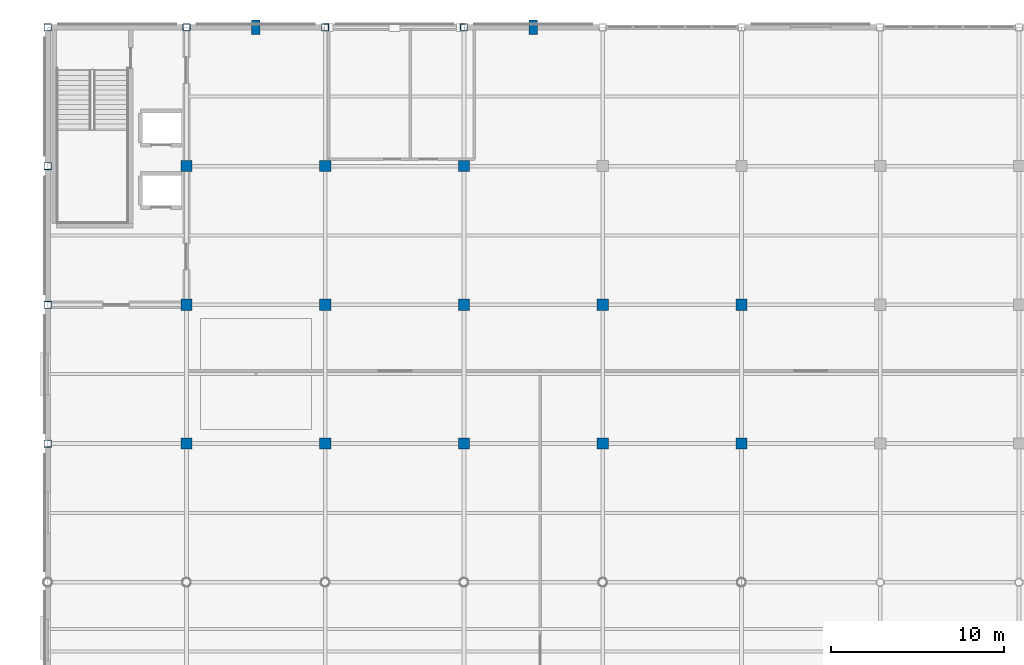
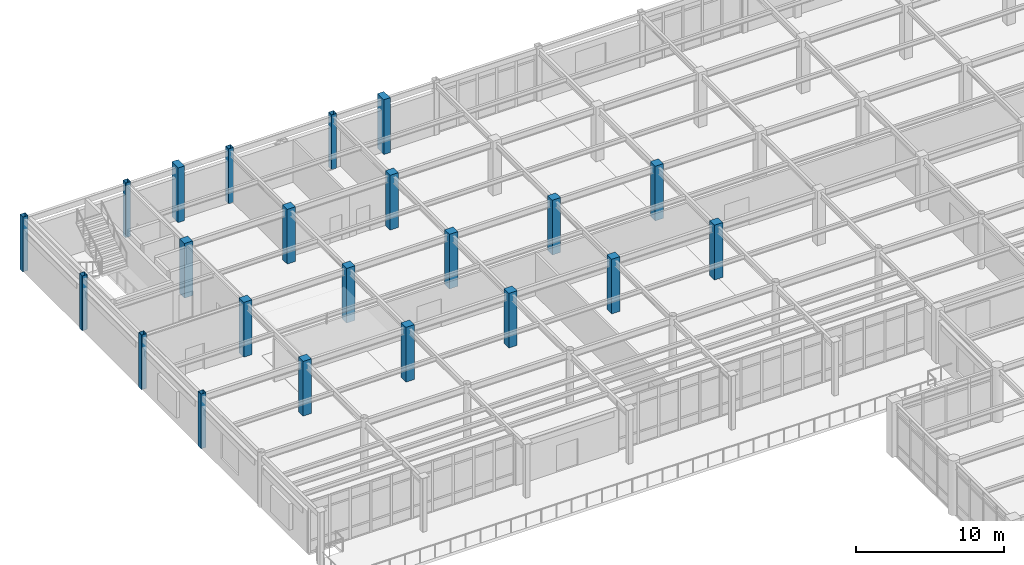
# One storey, part 10 of 111: 22 columns.
"""IFC4 building model written with IfcOpenShell, lengths in metres."""

from ifc_helpers import new_model, si_unit, direction, frame, origin, origin_2d, place, context, subcontext, project, spatial, rectangle, hollow_rectangle, extrude, material, material_profile, profile_set, type_object, element, save


model = new_model("IFC4")

# Units and contexts
model_context = context("Model", 3, precision=1e-05, world=origin(), true_north=direction((0.0, 1.0)))
body_context = subcontext(model_context, "Body", "Model", "MODEL_VIEW")
ifc_project = project(units=[si_unit("LENGTHUNIT", "METRE"), si_unit("AREAUNIT", "SQUARE_METRE"), si_unit("VOLUMEUNIT", "CUBIC_METRE"), si_unit("PLANEANGLEUNIT", "RADIAN"), si_unit("MASSUNIT", "GRAM", prefix="KILO")], contexts=[model_context])

# Site, building, storey
site_placement = place(None, origin())
site = spatial("IfcSite", under=ifc_project, at=site_placement, CompositionType="ELEMENT")
building_placement = place(site_placement, origin())
building = spatial("IfcBuilding", under=site, at=building_placement, Name="Solmirada Galleria", CompositionType="ELEMENT")
storey_placement = place(building_placement, frame((0.0, 0.0, 10.39990234375)))
storey = spatial("IfcBuildingStorey", under=building, at=storey_placement, Name="L02", CompositionType="ELEMENT", Elevation=10.39990234375)

# Columns
ifc_material_1 = material(Name="Steel S355 / ASTM A500 Grade C", Category="steel")
ifc_material_profile_1 = material_profile(ifc_material_1, hollow_rectangle(XDim=0.406005859375, YDim=0.406005859375, WallThickness=0.0146484375, InnerFilletRadius=0.0146484375, OuterFilletRadius=0.029296875, at=origin_2d()), Name="HSS16X16X5/8")
ifc_profile_set_1 = profile_set([ifc_material_profile_1], Name="Steel S355 / ASTM A500 Grade C")
column_type_1 = type_object("IfcColumnType", Name="COL-HSS16", PredefinedType="COLUMN", material=ifc_profile_set_1)
for number, where, z_axis, x_axis, name in (
    (1, (40.0, 96.0, 0.0), (0.0, 0.0, 1.0), (1.0, 0.0, 0.0), "Structural column L02-0055"),
    (2, (40.0, 104.0, 0.0), (0.0, 0.0, 1.0), (1.0, 0.0, 0.0), "Structural column L02-0062"),
    (3, (40.0, 112.0, 0.0), (0.0, 0.0, 1.0), (1.0, 0.0, 0.0), "Structural column L02-0069"),
    (4, (40.0, 120.0, 0.0), (0.0, 0.0, 1.0), (1.0, 0.0, 0.0), "Structural column L02-0076"),
    (5, (48.0, 120.0, 0.0), (0.0, 0.0, 1.0), (1.0, 0.0, 0.0), "Structural column L02-0143"),
    (6, (56.0, 120.0, 0.0), (0.0, 0.0, 1.0), (1.0, 0.0, 0.0), "Structural column L02-0210"),
    (7, (64.0, 120.0, 0.0), (0.0, 0.0, 1.0), (1.0, 0.0, 0.0), "Structural column L02-0274"),
):
    element("IfcColumn", number, at=place(storey_placement, frame(where, z_axis=z_axis, x_axis=x_axis)), inside=storey, type_object=column_type_1, Name=name, PredefinedType="COLUMN", context=body_context, shape_type="SweptSolid", body=[
        extrude(hollow_rectangle(XDim=0.406005859375, YDim=0.406005859375, WallThickness=0.0146484375, InnerFilletRadius=0.0146484375, OuterFilletRadius=0.029296875, at=origin_2d()), origin(), (0.0, 0.0, 1.0), 4.5),
    ])
ifc_material_2 = material(Name="Concrete C40/50", Category="concrete")
ifc_material_profile_2 = material_profile(ifc_material_2, rectangle(XDim=0.64990234375, YDim=0.64990234375, at=origin_2d()), Name="RC650X650")
ifc_profile_set_2 = profile_set([ifc_material_profile_2], Name="Concrete C40/50")
column_type_2 = type_object("IfcColumnType", Name="COL-RC650", PredefinedType="COLUMN", material=ifc_profile_set_2)
for number, where, z_axis, x_axis, name in (
    (8, (48.0, 96.0, 0.0), (0.0, 0.0, 1.0), (1.0, 0.0, 0.0), "Structural column L02-0122"),
    (9, (48.0, 104.0, 0.0), (0.0, 0.0, 1.0), (1.0, 0.0, 0.0), "Structural column L02-0129"),
    (10, (48.0, 112.0, 0.0), (0.0, 0.0, 1.0), (1.0, 0.0, 0.0), "Structural column L02-0136"),
    (11, (56.0, 96.0, 0.0), (0.0, 0.0, 1.0), (1.0, 0.0, 0.0), "Structural column L02-0189"),
    (12, (56.0, 104.0, 0.0), (0.0, 0.0, 1.0), (1.0, 0.0, 0.0), "Structural column L02-0196"),
    (13, (56.0, 112.0, 0.0), (0.0, 0.0, 1.0), (1.0, 0.0, 0.0), "Structural column L02-0203"),
    (14, (64.0, 96.0, 0.0), (0.0, 0.0, 1.0), (1.0, 0.0, 0.0), "Structural column L02-0253"),
    (15, (64.0, 104.0, 0.0), (0.0, 0.0, 1.0), (1.0, 0.0, 0.0), "Structural column L02-0260"),
    (16, (64.0, 112.0, 0.0), (0.0, 0.0, 1.0), (1.0, 0.0, 0.0), "Structural column L02-0267"),
    (17, (72.0, 96.0, 0.0), (0.0, 0.0, 1.0), (1.0, 0.0, 0.0), "Structural column L02-0320"),
    (18, (72.0, 104.0, 0.0), (0.0, 0.0, 1.0), (1.0, 0.0, 0.0), "Structural column L02-0327"),
    (19, (80.0, 96.0, 0.0), (0.0, 0.0, 1.0), (1.0, 0.0, 0.0), "Structural column L02-0437"),
    (20, (80.0, 104.0, 0.0), (0.0, 0.0, 1.0), (1.0, 0.0, 0.0), "Structural column L02-0444"),
):
    element("IfcColumn", number, at=place(storey_placement, frame(where, z_axis=z_axis, x_axis=x_axis)), inside=storey, type_object=column_type_2, Name=name, PredefinedType="COLUMN", context=body_context, shape_type="SweptSolid", body=[
        extrude(rectangle(XDim=0.64990234375, YDim=0.64990234375, at=origin_2d()), origin(), (0.0, 0.0, 1.0), 4.5),
    ])
ifc_material_3 = material(Name="Precast concrete C40/50", Category="concrete")
ifc_material_profile_3 = material_profile(ifc_material_3, rectangle(XDim=0.5, YDim=0.85009765625, at=origin_2d()), Name="RC850X500")
ifc_profile_set_3 = profile_set([ifc_material_profile_3], Name="Precast concrete C40/50")
column_type_3 = type_object("IfcColumnType", Name="PIL-RC850", PredefinedType="PILASTER", material=ifc_profile_set_3)
for number, where, z_axis, x_axis, name in (
    (21, (52.0, 120.0, 0.0), (0.0, 0.0, 1.0), (1.0, 0.0, 0.0), "Avenue pilaster L02-004"),
    (22, (68.0, 120.0, 0.0), (0.0, 0.0, 1.0), (1.0, 0.0, 0.0), "Avenue pilaster L02-008"),
):
    element("IfcColumn", number, at=place(storey_placement, frame(where, z_axis=z_axis, x_axis=x_axis)), inside=storey, type_object=column_type_3, Name=name, PredefinedType="PILASTER", context=body_context, shape_type="SweptSolid", body=[
        extrude(rectangle(XDim=0.5, YDim=0.85009765625, at=origin_2d()), origin(), (0.0, 0.0, 1.0), 4.5),
    ])

save(model, "model.ifc")
